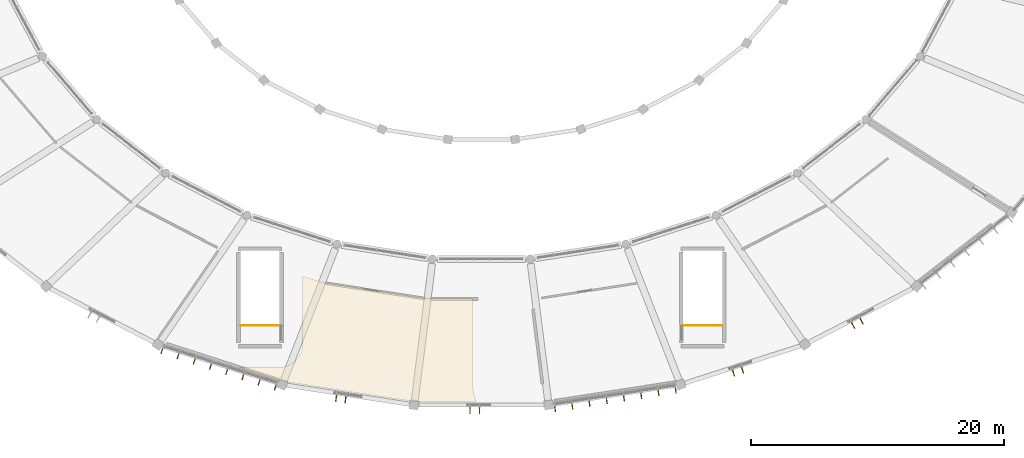
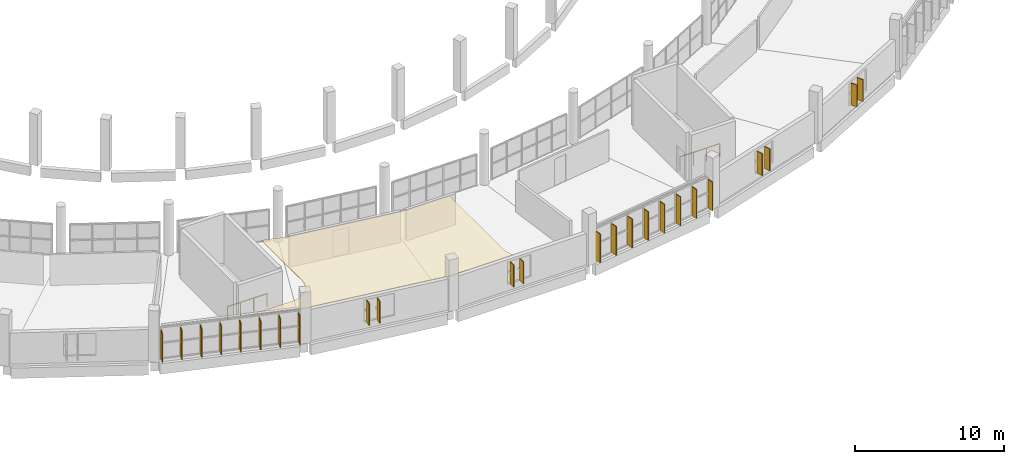
# One storey, part 125 of 142: 24 shading devices, 2 railings, 1 covering.
"""IFC4 building model written with IfcOpenShell, lengths in metres."""

from ifc_helpers import new_model, si_unit, direction, frame, origin, origin_2d, place, context, subcontext, project, spatial, polyline, rectangle, circle, outline, extrude, material, layer, layer_set, type_object, element, save


model = new_model("IFC4")

# Units and contexts
model_context = context("Model", 3, precision=1e-05, world=origin(), true_north=direction((0.0, 1.0)))
body_context = subcontext(model_context, "Body", "Model", "MODEL_VIEW")
ifc_project = project(units=[si_unit("LENGTHUNIT", "METRE"), si_unit("AREAUNIT", "SQUARE_METRE"), si_unit("VOLUMEUNIT", "CUBIC_METRE"), si_unit("PLANEANGLEUNIT", "RADIAN"), si_unit("MASSUNIT", "GRAM", prefix="KILO")], contexts=[model_context])

# Site, building, storey
site_placement = place(None, origin())
site = spatial("IfcSite", under=ifc_project, at=site_placement, CompositionType="ELEMENT")
building_placement = place(site_placement, origin())
building = spatial("IfcBuilding", under=site, at=building_placement, Name="Corvandel Quay Wholesale Market", CompositionType="ELEMENT")
storey_placement = place(building_placement, frame((0.0, 0.0, 10.800048828125)))
storey = spatial("IfcBuildingStorey", under=building, at=storey_placement, Name="L02", CompositionType="ELEMENT", Elevation=10.800048828125)

# Covering
ifc_material_1 = material(Name="Perforated powder-coated aluminium acoustic panel", Category="aluminium")
ifc_layer_1 = layer(ifc_material_1, 0.044921875)
ifc_layer_set_1 = layer_set([ifc_layer_1], Name="Perforated powder-coated aluminium acoustic panel")
covering_type = type_object("IfcCoveringType", Name="Perforated Acoustic Baffle Ceiling CLG01", PredefinedType="CEILING", material=ifc_layer_set_1)
covering_placement = place(storey_placement, frame((0.0, 0.0, 2.39990234375)))
element("IfcCovering", 1, at=covering_placement, inside=storey, type_object=covering_type, Name="Suspended Ceiling CLG-008", PredefinedType="CEILING", context=body_context, shape_type="SweptSolid", body=[
    extrude(outline(polyline([(108.702880859375, 0.260009765625), (108.700927734375, 0.260009765625), (108.699951171875, 0.260009765625), (98.31103515625, 1.866943359375), (98.30908203125, 1.867919921875), (98.30810546875, 1.867919921875), (94.760986328125, 3.010009765625), (94.77392578125, 3.009033203125), (94.949951171875, 3.0), (98.050048828125, 3.0), (98.22607421875, 3.009033203125), (98.40087890625, 3.034912109375), (98.572998046875, 3.077880859375), (98.739013671875, 3.136962890625), (98.89892578125, 3.212890625), (99.050048828125, 3.302978515625), (99.19189453125, 3.408935546875), (99.322998046875, 3.527099609375), (99.44091796875, 3.657958984375), (99.547119140625, 3.800048828125), (99.636962890625, 3.950927734375), (99.712890625, 4.111083984375), (99.77197265625, 4.277099609375), (99.81494140625, 4.448974609375), (99.841064453125, 4.6240234375), (99.85009765625, 4.800048828125), (99.85009765625, 10.201904296875), (101.43994140625, 9.69091796875), (109.739990234375, 8.405029296875), (113.35009765625, 8.404052734375), (113.35009765625, 1.25), (113.35888671875, 1.073974609375), (113.385009765625, 0.89892578125), (113.427978515625, 0.72705078125), (113.487060546875, 0.56103515625), (113.56298828125, 0.40087890625), (113.64697265625, 0.260009765625), (108.702880859375, 0.260009765625)])), origin(), (0.0, 0.0, 1.0), 0.045166015625),
])

# Railings
ifc_material_2 = material(Name="Painted galvanised tubular steel", Category="steel")
ifc_layer_2 = layer(ifc_material_2, 0.054931640625)
ifc_layer_set_2 = layer_set([ifc_layer_2], Name="Painted galvanised tubular steel")
railing_type = type_object("IfcRailingType", Name="Stairwell Inner Guard Railing GR02 1100mm", PredefinedType="GUARDRAIL", material=ifc_layer_set_2)
for number, where, name in (
    (2, (94.969970703125, 6.300048828125, 0.0), "Stair Top Well Guard SH03-L02"),
    (3, (129.969970703125, 6.300048828125, 0.0), "Stair Top Well Guard SH04-L02"),
):
    element("IfcRailing", number, at=place(storey_placement, frame(where)), inside=storey, type_object=railing_type, Name=name, PredefinedType="GUARDRAIL", context=body_context, shape_type="SweptSolid", body=[
        extrude(circle(Radius=0.02392578125, at=origin_2d()), frame((0.0, 0.0, 1.076171875), z_axis=(1.0, 0.0, 0.0), x_axis=(0.0, 1.0, 0.0)), (0.0, 0.0, 1.0), 3.06005859375),
        extrude(circle(Radius=0.02099609375, at=origin_2d()), origin(), (0.0, 0.0, 1.0), 1.052001953125),
        extrude(circle(Radius=0.02099609375, at=origin_2d()), frame((1.02001953125, 0.0, 0.0)), (0.0, 0.0, 1.0), 1.052001953125),
        extrude(circle(Radius=0.02099609375, at=origin_2d()), frame((2.0400390625, 0.0, 0.0)), (0.0, 0.0, 1.0), 1.052001953125),
        extrude(circle(Radius=0.02099609375, at=origin_2d()), frame((3.06005859375, 0.0, 0.0)), (0.0, 0.0, 1.0), 1.052001953125),
    ])

# Shading devices
ifc_material_3 = material(Name="Bronze anodised extruded aluminium 6063-T6", Category="aluminium")
shading_device_type = type_object("IfcShadingDeviceType", Name="Vertical Anodised Bronze Solar Fin FN01 480mm", PredefinedType="JALOUSIE", material=ifc_material_3)
for number, where, z_axis, x_axis, name in (
    (4, (88.73291015625, 4.2802734375, 0.099853515625), (0.0, 0.0, 1.0), (0.306692204733, 0.951808747363, 0.0), "Solar Fin 0124"),
    (5, (90.014404296875, 3.867431640625, 0.099853515625), (0.0, 0.0, 1.0), (0.306692204733, 0.951808747363, 0.0), "Solar Fin 0125"),
    (6, (91.2958984375, 3.45458984375, 0.099853515625), (0.0, 0.0, 1.0), (0.306692204733, 0.951808747363, 0.0), "Solar Fin 0126"),
    (7, (92.57763671875, 3.041748046875, 0.099853515625), (0.0, 0.0, 1.0), (0.306692204733, 0.951808747363, 0.0), "Solar Fin 0127"),
    (8, (93.859375, 2.62890625, 0.099853515625), (0.0, 0.0, 1.0), (0.306692204733, 0.951808747363, 0.0), "Solar Fin 0128"),
    (9, (95.140869140625, 2.216064453125, 0.099853515625), (0.0, 0.0, 1.0), (0.306692204733, 0.951808747363, 0.0), "Solar Fin 0129"),
    (10, (96.422607421875, 1.80322265625, 0.099853515625), (0.0, 0.0, 1.0), (0.306692204733, 0.951808747363, 0.0), "Solar Fin 0130"),
    (11, (97.7041015625, 1.390380859375, 0.099853515625), (0.0, 0.0, 1.0), (0.306692204733, 0.951808747363, 0.0), "Solar Fin 0131"),
):
    element("IfcShadingDevice", number, at=place(storey_placement, frame(where, z_axis=z_axis, x_axis=x_axis)), inside=storey, type_object=shading_device_type, Name=name, PredefinedType="JALOUSIE", context=body_context, shape_type="SweptSolid", body=[
        extrude(rectangle(XDim=0.47998046875, YDim=0.06494140625, at=origin_2d()), origin(), (0.0, 0.0, 1.0), 2.35009765625),
    ])
for number, where, z_axis, x_axis, name in (
    (12, (102.50830078125, 0.509765625, 0.5498046875), (0.0, 0.0, 1.0), (0.152813355565, 0.98825506746, 0.0), "Solar Fin 0140"),
    (13, (103.24951171875, 0.39501953125, 0.5498046875), (0.0, 0.0, 1.0), (0.152813355565, 0.98825506746, 0.0), "Solar Fin 0141"),
    (14, (113.10009765625, -0.43994140625, 0.5498046875), (0.0, 0.0, 1.0), (0.0, 1.0, 0.0), "Solar Fin 0148"),
    (15, (113.85009765625, -0.43994140625, 0.5498046875), (0.0, 0.0, 1.0), (0.0, 1.0, 0.0), "Solar Fin 0149"),
):
    element("IfcShadingDevice", number, at=place(storey_placement, frame(where, z_axis=z_axis, x_axis=x_axis)), inside=storey, type_object=shading_device_type, Name=name, PredefinedType="JALOUSIE", context=body_context, shape_type="SweptSolid", body=[
        extrude(rectangle(XDim=0.47998046875, YDim=0.06494140625, at=origin_2d()), origin(), (0.0, 0.0, 1.0), 1.800048828125),
    ])
for number, where, z_axis, x_axis, name in (
    (16, (119.82177734375, -0.306640625, 0.099853515625), (0.0, 0.0, 1.0), (-0.152813355565, 0.98825506746, 0.0), "Solar Fin 0158"),
    (17, (121.18505859375, -0.095703125, 0.099853515625), (0.0, 0.0, 1.0), (-0.152813355565, 0.98825506746, 0.0), "Solar Fin 0159"),
    (18, (122.54833984375, 0.114990234375, 0.099853515625), (0.0, 0.0, 1.0), (-0.152813355565, 0.98825506746, 0.0), "Solar Fin 0160"),
    (19, (123.91162109375, 0.325927734375, 0.099853515625), (0.0, 0.0, 1.0), (-0.152813355565, 0.98825506746, 0.0), "Solar Fin 0161"),
    (20, (125.274658203125, 0.536865234375, 0.099853515625), (0.0, 0.0, 1.0), (-0.152813355565, 0.98825506746, 0.0), "Solar Fin 0162"),
    (21, (126.637939453125, 0.747802734375, 0.099853515625), (0.0, 0.0, 1.0), (-0.152813355565, 0.98825506746, 0.0), "Solar Fin 0163"),
    (22, (128.001220703125, 0.958740234375, 0.099853515625), (0.0, 0.0, 1.0), (-0.152813355565, 0.98825506746, 0.0), "Solar Fin 0164"),
    (23, (129.364501953125, 1.169677734375, 0.099853515625), (0.0, 0.0, 1.0), (-0.152813355565, 0.98825506746, 0.0), "Solar Fin 0165"),
):
    element("IfcShadingDevice", number, at=place(storey_placement, frame(where, z_axis=z_axis, x_axis=x_axis)), inside=storey, type_object=shading_device_type, Name=name, PredefinedType="JALOUSIE", context=body_context, shape_type="SweptSolid", body=[
        extrude(rectangle(XDim=0.47998046875, YDim=0.06494140625, at=origin_2d()), origin(), (0.0, 0.0, 1.0), 2.35009765625),
    ])
for number, where, z_axis, x_axis, name in (
    (24, (133.943603515625, 2.502197265625, 0.5498046875), (0.0, 0.0, 1.0), (-0.306692204733, 0.951808747363, 0.0), "Solar Fin 0179"),
    (25, (134.657470703125, 2.732421875, 0.5498046875), (0.0, 0.0, 1.0), (-0.306692204733, 0.951808747363, 0.0), "Solar Fin 0180"),
    (26, (143.40478515625, 6.2724609375, 0.5498046875), (0.0, 0.0, 1.0), (-0.461129250378, 0.887332978338, 0.0), "Solar Fin 0196"),
    (27, (144.0703125, 6.6181640625, 0.5498046875), (0.0, 0.0, 1.0), (-0.461129250378, 0.887332978338, 0.0), "Solar Fin 0197"),
):
    element("IfcShadingDevice", number, at=place(storey_placement, frame(where, z_axis=z_axis, x_axis=x_axis)), inside=storey, type_object=shading_device_type, Name=name, PredefinedType="JALOUSIE", context=body_context, shape_type="SweptSolid", body=[
        extrude(rectangle(XDim=0.47998046875, YDim=0.06494140625, at=origin_2d()), origin(), (0.0, 0.0, 1.0), 1.800048828125),
    ])

save(model, "model.ifc")
